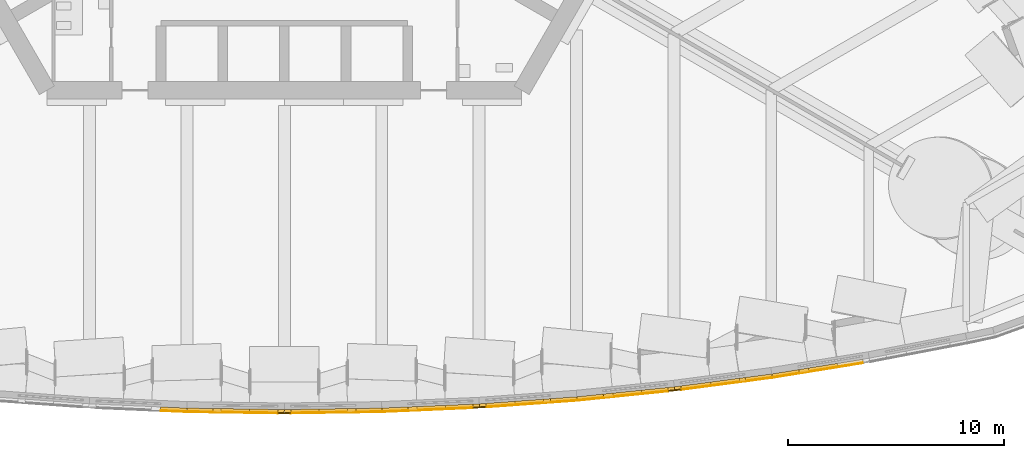
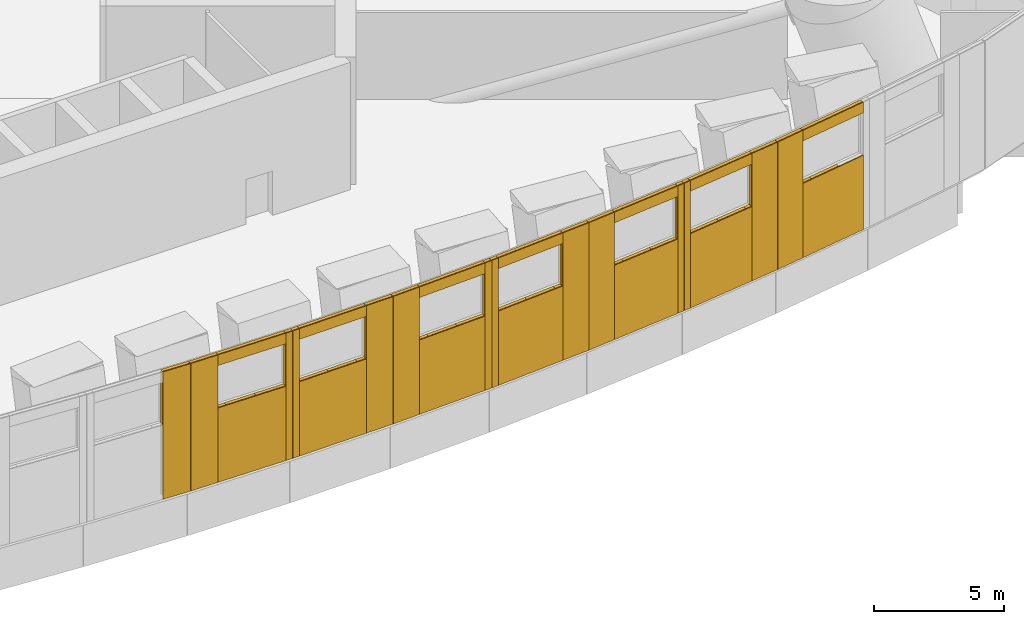
# One storey, part 17 of 28: 69 coverings.
"""IFC4 building model written with IfcOpenShell, lengths in metres."""

from ifc_helpers import new_model, si_unit, direction, frame, origin, origin_2d, place, context, subcontext, project, spatial, rectangle, extrude, material, layer, layer_set, type_object, element, save


model = new_model("IFC4")

# Units and contexts
model_context = context("Model", 3, precision=1e-05, world=origin(), true_north=direction((0.0, 1.0)))
body_context = subcontext(model_context, "Body", "Model", "MODEL_VIEW")
ifc_project = project(units=[si_unit("LENGTHUNIT", "METRE"), si_unit("AREAUNIT", "SQUARE_METRE"), si_unit("VOLUMEUNIT", "CUBIC_METRE"), si_unit("PLANEANGLEUNIT", "RADIAN"), si_unit("MASSUNIT", "GRAM", prefix="KILO")], contexts=[model_context])

# Site, building, storey
site_placement = place(None, origin())
site = spatial("IfcSite", under=ifc_project, at=site_placement, CompositionType="ELEMENT")
building_placement = place(site_placement, origin())
building = spatial("IfcBuilding", under=site, at=building_placement, Name="Trefoil Bronze Tower", CompositionType="ELEMENT")
storey_placement = place(building_placement, frame((0.0, 0.0, 92.10009765625)))
storey = spatial("IfcBuildingStorey", under=building, at=storey_placement, Name="L21", CompositionType="ELEMENT", Elevation=92.10009765625)

# Coverings
ifc_material_1 = material(Name="Bronze-finish aluminium rainscreen panel on aluminium rails", Category="aluminium")
ifc_layer_1 = layer(ifc_material_1, 0.0400390625)
ifc_layer_set_1 = layer_set([ifc_layer_1], Name="Bronze cladding panel 40")
covering_type_1 = type_object("IfcCoveringType", Name="Bronze cladding panel 40", PredefinedType="CLADDING", material=ifc_layer_set_1)
covering_1_placement = place(storey_placement, frame((-5.115478515625, -27.826904296875, 0.0), z_axis=(0.0, 0.0, 1.0), x_axis=(0.999052210812, -0.043527922899, 0.0)))
element("IfcCovering", 1, at=covering_1_placement, inside=storey, type_object=covering_type_1, Name="Cladding panel L21 Face 1.7 piece 2", PredefinedType="CLADDING", context=body_context, shape_type="SweptSolid", body=[
    extrude(rectangle(XDim=1.204345703125, YDim=0.0400390625, at=origin_2d()), origin(), (0.0, 0.0, 1.0), 6.0),
])
covering_2_placement = place(storey_placement, frame((-3.904541015625, -27.862060546875, 0.0), z_axis=(0.0, 0.0, 1.0), x_axis=(0.999894734491, -0.01450930517, 0.0)))
element("IfcCovering", 2, at=covering_2_placement, inside=storey, type_object=covering_type_1, Name="Cladding panel L21 Face 1.8 piece 1", PredefinedType="CLADDING", context=body_context, shape_type="SweptSolid", body=[
    extrude(rectangle(XDim=1.200439453125, YDim=0.0400390625, at=origin_2d()), origin(), (0.0, 0.0, 1.0), 6.0),
])
covering_3_placement = place(storey_placement, frame((-0.154541015625, -27.91650390625, 0.0), z_axis=(0.0, 0.0, 1.0), x_axis=(0.999894734491, -0.01450930517, 0.0)))
element("IfcCovering", 3, at=covering_3_placement, inside=storey, type_object=covering_type_1, Name="Cladding panel L21 Face 1.8 piece 2", PredefinedType="CLADDING", context=body_context, shape_type="SweptSolid", body=[
    extrude(rectangle(XDim=0.300048828125, YDim=0.0400390625, at=origin_2d()), origin(), (0.0, 0.0, 1.0), 6.0),
])
covering_4_placement = place(storey_placement, frame((-1.804443359375, -27.892578125, 0.0), z_axis=(0.0, 0.0, 1.0), x_axis=(0.999894734491, -0.01450930517, 0.0)))
element("IfcCovering", 4, at=covering_4_placement, inside=storey, type_object=covering_type_1, Name="Cladding panel L21 Face 1.8 piece 3", PredefinedType="CLADDING", context=body_context, shape_type="SweptSolid", body=[
    extrude(rectangle(XDim=3.0, YDim=0.0400390625, at=origin_2d()), origin(), (0.0, 0.0, 1.0), 3.5),
])
covering_5_placement = place(storey_placement, frame((-1.804443359375, -27.892578125, 5.5), z_axis=(0.0, 0.0, 1.0), x_axis=(0.999894734491, -0.01450930517, 0.0)))
element("IfcCovering", 5, at=covering_5_placement, inside=storey, type_object=covering_type_1, Name="Cladding panel L21 Face 1.8 piece 4", PredefinedType="CLADDING", context=body_context, shape_type="SweptSolid", body=[
    extrude(rectangle(XDim=3.0, YDim=0.0400390625, at=origin_2d()), origin(), (0.0, 0.0, 1.0), 0.5),
])
covering_6_placement = place(storey_placement, frame((0.154541015625, -27.91650390625, 0.0), z_axis=(0.0, 0.0, 1.0), x_axis=(0.999894734491, 0.01450930517, 0.0)))
element("IfcCovering", 6, at=covering_6_placement, inside=storey, type_object=covering_type_1, Name="Cladding panel L21 Face 1.9 piece 1", PredefinedType="CLADDING", context=body_context, shape_type="SweptSolid", body=[
    extrude(rectangle(XDim=0.300048828125, YDim=0.0400390625, at=origin_2d()), origin(), (0.0, 0.0, 1.0), 6.0),
])
covering_7_placement = place(storey_placement, frame((3.904541015625, -27.862060546875, 0.0), z_axis=(0.0, 0.0, 1.0), x_axis=(0.999894734491, 0.01450930517, 0.0)))
element("IfcCovering", 7, at=covering_7_placement, inside=storey, type_object=covering_type_1, Name="Cladding panel L21 Face 1.9 piece 2", PredefinedType="CLADDING", context=body_context, shape_type="SweptSolid", body=[
    extrude(rectangle(XDim=1.200439453125, YDim=0.0400390625, at=origin_2d()), origin(), (0.0, 0.0, 1.0), 6.0),
])
covering_8_placement = place(storey_placement, frame((1.804443359375, -27.892578125, 0.0), z_axis=(0.0, 0.0, 1.0), x_axis=(0.999894734491, 0.01450930517, 0.0)))
element("IfcCovering", 8, at=covering_8_placement, inside=storey, type_object=covering_type_1, Name="Cladding panel L21 Face 1.9 piece 3", PredefinedType="CLADDING", context=body_context, shape_type="SweptSolid", body=[
    extrude(rectangle(XDim=3.0, YDim=0.0400390625, at=origin_2d()), origin(), (0.0, 0.0, 1.0), 3.5),
])
covering_9_placement = place(storey_placement, frame((1.804443359375, -27.892578125, 5.5), z_axis=(0.0, 0.0, 1.0), x_axis=(0.999894734491, 0.01450930517, 0.0)))
element("IfcCovering", 9, at=covering_9_placement, inside=storey, type_object=covering_type_1, Name="Cladding panel L21 Face 1.9 piece 4", PredefinedType="CLADDING", context=body_context, shape_type="SweptSolid", body=[
    extrude(rectangle(XDim=3.0, YDim=0.0400390625, at=origin_2d()), origin(), (0.0, 0.0, 1.0), 0.5),
])
covering_10_placement = place(storey_placement, frame((5.115478515625, -27.826904296875, 0.0), z_axis=(0.0, 0.0, 1.0), x_axis=(0.999052210812, 0.043527922899, 0.0)))
element("IfcCovering", 10, at=covering_10_placement, inside=storey, type_object=covering_type_1, Name="Cladding panel L21 Face 1.10 piece 1", PredefinedType="CLADDING", context=body_context, shape_type="SweptSolid", body=[
    extrude(rectangle(XDim=1.204345703125, YDim=0.0400390625, at=origin_2d()), origin(), (0.0, 0.0, 1.0), 6.0),
])
covering_11_placement = place(storey_placement, frame((8.864013671875, -27.66357421875, 0.0), z_axis=(0.0, 0.0, 1.0), x_axis=(0.999052210812, 0.043527922899, 0.0)))
element("IfcCovering", 11, at=covering_11_placement, inside=storey, type_object=covering_type_1, Name="Cladding panel L21 Face 1.10 piece 2", PredefinedType="CLADDING", context=body_context, shape_type="SweptSolid", body=[
    extrude(rectangle(XDim=0.300048828125, YDim=0.0400390625, at=origin_2d()), origin(), (0.0, 0.0, 1.0), 6.0),
])
covering_12_placement = place(storey_placement, frame((7.215576171875, -27.7353515625, 0.0), z_axis=(0.0, 0.0, 1.0), x_axis=(0.999052210812, 0.043527922899, 0.0)))
element("IfcCovering", 12, at=covering_12_placement, inside=storey, type_object=covering_type_1, Name="Cladding panel L21 Face 1.10 piece 3", PredefinedType="CLADDING", context=body_context, shape_type="SweptSolid", body=[
    extrude(rectangle(XDim=3.0, YDim=0.0400390625, at=origin_2d()), origin(), (0.0, 0.0, 1.0), 3.5),
])
covering_13_placement = place(storey_placement, frame((7.215576171875, -27.7353515625, 5.5), z_axis=(0.0, 0.0, 1.0), x_axis=(0.999052210812, 0.043527922899, 0.0)))
element("IfcCovering", 13, at=covering_13_placement, inside=storey, type_object=covering_type_1, Name="Cladding panel L21 Face 1.10 piece 4", PredefinedType="CLADDING", context=body_context, shape_type="SweptSolid", body=[
    extrude(rectangle(XDim=3.0, YDim=0.0400390625, at=origin_2d()), origin(), (0.0, 0.0, 1.0), 0.5),
])
covering_14_placement = place(storey_placement, frame((9.1728515625, -27.6455078125, 0.0), z_axis=(0.0, 0.0, 1.0), x_axis=(0.997365026465, 0.072546564247, 0.0)))
element("IfcCovering", 14, at=covering_14_placement, inside=storey, type_object=covering_type_1, Name="Cladding panel L21 Face 1.11 piece 1", PredefinedType="CLADDING", context=body_context, shape_type="SweptSolid", body=[
    extrude(rectangle(XDim=0.300048828125, YDim=0.0400390625, at=origin_2d()), origin(), (0.0, 0.0, 1.0), 6.0),
])
covering_15_placement = place(storey_placement, frame((12.9189453125, -27.373046875, 0.0), z_axis=(0.0, 0.0, 1.0), x_axis=(0.997365026465, 0.072546564247, 0.0)))
element("IfcCovering", 15, at=covering_15_placement, inside=storey, type_object=covering_type_1, Name="Cladding panel L21 Face 1.11 piece 2", PredefinedType="CLADDING", context=body_context, shape_type="SweptSolid", body=[
    extrude(rectangle(XDim=1.2119140625, YDim=0.0400390625, at=origin_2d()), origin(), (0.0, 0.0, 1.0), 6.0),
])
covering_16_placement = place(storey_placement, frame((10.818359375, -27.52587890625, 0.0), z_axis=(0.0, 0.0, 1.0), x_axis=(0.997365026465, 0.072546564247, 0.0)))
element("IfcCovering", 16, at=covering_16_placement, inside=storey, type_object=covering_type_1, Name="Cladding panel L21 Face 1.11 piece 3", PredefinedType="CLADDING", context=body_context, shape_type="SweptSolid", body=[
    extrude(rectangle(XDim=3.0, YDim=0.0400390625, at=origin_2d()), origin(), (0.0, 0.0, 1.0), 3.5),
])
covering_17_placement = place(storey_placement, frame((10.818359375, -27.52587890625, 5.5), z_axis=(0.0, 0.0, 1.0), x_axis=(0.997365026465, 0.072546564247, 0.0)))
element("IfcCovering", 17, at=covering_17_placement, inside=storey, type_object=covering_type_1, Name="Cladding panel L21 Face 1.11 piece 4", PredefinedType="CLADDING", context=body_context, shape_type="SweptSolid", body=[
    extrude(rectangle(XDim=3.0, YDim=0.0400390625, at=origin_2d()), origin(), (0.0, 0.0, 1.0), 0.5),
])
covering_18_placement = place(storey_placement, frame((14.14111328125, -27.266357421875, 0.0), z_axis=(0.0, 0.0, 1.0), x_axis=(0.994828880304, 0.101565244613, 0.0)))
element("IfcCovering", 18, at=covering_18_placement, inside=storey, type_object=covering_type_1, Name="Cladding panel L21 Face 1.12 piece 1", PredefinedType="CLADDING", context=body_context, shape_type="SweptSolid", body=[
    extrude(rectangle(XDim=1.223388671875, YDim=0.0400390625, at=origin_2d()), origin(), (0.0, 0.0, 1.0), 6.0),
])
covering_19_placement = place(storey_placement, frame((17.88330078125, -26.88427734375, 0.0), z_axis=(0.0, 0.0, 1.0), x_axis=(0.994828880304, 0.101565244613, 0.0)))
element("IfcCovering", 19, at=covering_19_placement, inside=storey, type_object=covering_type_1, Name="Cladding panel L21 Face 1.12 piece 2", PredefinedType="CLADDING", context=body_context, shape_type="SweptSolid", body=[
    extrude(rectangle(XDim=0.300048828125, YDim=0.0400390625, at=origin_2d()), origin(), (0.0, 0.0, 1.0), 6.0),
])
covering_20_placement = place(storey_placement, frame((16.24169921875, -27.0517578125, 0.0), z_axis=(0.0, 0.0, 1.0), x_axis=(0.994828880304, 0.101565244613, 0.0)))
element("IfcCovering", 20, at=covering_20_placement, inside=storey, type_object=covering_type_1, Name="Cladding panel L21 Face 1.12 piece 3", PredefinedType="CLADDING", context=body_context, shape_type="SweptSolid", body=[
    extrude(rectangle(XDim=3.0, YDim=0.0400390625, at=origin_2d()), origin(), (0.0, 0.0, 1.0), 3.5),
])
covering_21_placement = place(storey_placement, frame((16.24169921875, -27.0517578125, 5.5), z_axis=(0.0, 0.0, 1.0), x_axis=(0.994828880304, 0.101565244613, 0.0)))
element("IfcCovering", 21, at=covering_21_placement, inside=storey, type_object=covering_type_1, Name="Cladding panel L21 Face 1.12 piece 4", PredefinedType="CLADDING", context=body_context, shape_type="SweptSolid", body=[
    extrude(rectangle(XDim=3.0, YDim=0.0400390625, at=origin_2d()), origin(), (0.0, 0.0, 1.0), 0.5),
])
covering_22_placement = place(storey_placement, frame((18.1904296875, -26.848388671875, 0.0), z_axis=(0.0, 0.0, 1.0), x_axis=(0.991437251591, 0.130583981243, 0.0)))
element("IfcCovering", 22, at=covering_22_placement, inside=storey, type_object=covering_type_1, Name="Cladding panel L21 Face 1.13 piece 1", PredefinedType="CLADDING", context=body_context, shape_type="SweptSolid", body=[
    extrude(rectangle(XDim=0.300048828125, YDim=0.0400390625, at=origin_2d()), origin(), (0.0, 0.0, 1.0), 6.0),
])
covering_23_placement = place(storey_placement, frame((21.927734375, -26.35595703125, 0.0), z_axis=(0.0, 0.0, 1.0), x_axis=(0.991437251591, 0.130583981243, 0.0)))
element("IfcCovering", 23, at=covering_23_placement, inside=storey, type_object=covering_type_1, Name="Cladding panel L21 Face 1.13 piece 2", PredefinedType="CLADDING", context=body_context, shape_type="SweptSolid", body=[
    extrude(rectangle(XDim=1.23876953125, YDim=0.0400390625, at=origin_2d()), origin(), (0.0, 0.0, 1.0), 6.0),
])
covering_24_placement = place(storey_placement, frame((19.826416015625, -26.6328125, 0.0), z_axis=(0.0, 0.0, 1.0), x_axis=(0.991437251591, 0.130583981243, 0.0)))
element("IfcCovering", 24, at=covering_24_placement, inside=storey, type_object=covering_type_1, Name="Cladding panel L21 Face 1.13 piece 3", PredefinedType="CLADDING", context=body_context, shape_type="SweptSolid", body=[
    extrude(rectangle(XDim=3.0, YDim=0.0400390625, at=origin_2d()), origin(), (0.0, 0.0, 1.0), 3.5),
])
covering_25_placement = place(storey_placement, frame((19.826416015625, -26.6328125, 5.5), z_axis=(0.0, 0.0, 1.0), x_axis=(0.991437251591, 0.130583981243, 0.0)))
element("IfcCovering", 25, at=covering_25_placement, inside=storey, type_object=covering_type_1, Name="Cladding panel L21 Face 1.13 piece 4", PredefinedType="CLADDING", context=body_context, shape_type="SweptSolid", body=[
    extrude(rectangle(XDim=3.0, YDim=0.0400390625, at=origin_2d()), origin(), (0.0, 0.0, 1.0), 0.5),
])
covering_26_placement = place(storey_placement, frame((23.172119140625, -26.17333984375, 0.0), z_axis=(0.0, 0.0, 1.0), x_axis=(0.987181315147, 0.159602791403, 0.0)))
element("IfcCovering", 26, at=covering_26_placement, inside=storey, type_object=covering_type_1, Name="Cladding panel L21 Face 1.14 piece 1", PredefinedType="CLADDING", context=body_context, shape_type="SweptSolid", body=[
    extrude(rectangle(XDim=1.258544921875, YDim=0.0400390625, at=origin_2d()), origin(), (0.0, 0.0, 1.0), 6.0),
])
covering_27_placement = place(storey_placement, frame((25.274169921875, -25.83349609375, 0.0), z_axis=(0.0, 0.0, 1.0), x_axis=(0.987181315147, 0.159602791403, 0.0)))
element("IfcCovering", 27, at=covering_27_placement, inside=storey, type_object=covering_type_1, Name="Cladding panel L21 Face 1.14 piece 3", PredefinedType="CLADDING", context=body_context, shape_type="SweptSolid", body=[
    extrude(rectangle(XDim=3.0, YDim=0.0400390625, at=origin_2d()), origin(), (0.0, 0.0, 1.0), 3.5),
])
covering_28_placement = place(storey_placement, frame((25.274169921875, -25.83349609375, 5.5), z_axis=(0.0, 0.0, 1.0), x_axis=(0.987181315147, 0.159602791403, 0.0)))
element("IfcCovering", 28, at=covering_28_placement, inside=storey, type_object=covering_type_1, Name="Cladding panel L21 Face 1.14 piece 4", PredefinedType="CLADDING", context=body_context, shape_type="SweptSolid", body=[
    extrude(rectangle(XDim=3.0, YDim=0.0400390625, at=origin_2d()), origin(), (0.0, 0.0, 1.0), 0.5),
])
ifc_material_2 = material(Name="Non-combustible mineral wool slab", Category="insulation")
ifc_layer_2 = layer(ifc_material_2, 0.14990234375)
ifc_layer_set_2 = layer_set([ifc_layer_2], Name="Rainscreen insulation 150")
covering_type_2 = type_object("IfcCoveringType", Name="Rainscreen insulation 150", PredefinedType="INSULATION", material=ifc_layer_set_2)
covering_29_placement = place(storey_placement, frame((-5.111328125, -27.73193359375, 0.15478515625), z_axis=(0.0, 0.0, 1.0), x_axis=(0.999052210812, -0.043527922899, 0.0)))
element("IfcCovering", 29, at=covering_29_placement, inside=storey, type_object=covering_type_2, Name="Insulation L21 Face 1.7 piece 2", PredefinedType="INSULATION", context=body_context, shape_type="SweptSolid", body=[
    extrude(rectangle(XDim=1.204345703125, YDim=0.14990234375, at=origin_2d()), origin(), (0.0, 0.0, 1.0), 5.844970703125),
])
covering_30_placement = place(storey_placement, frame((-3.903076171875, -27.76708984375, 0.19482421875), z_axis=(0.0, 0.0, 1.0), x_axis=(0.999894734491, -0.01450930517, 0.0)))
element("IfcCovering", 30, at=covering_30_placement, inside=storey, type_object=covering_type_2, Name="Insulation L21 Face 1.8 piece 1", PredefinedType="INSULATION", context=body_context, shape_type="SweptSolid", body=[
    extrude(rectangle(XDim=1.200439453125, YDim=0.14990234375, at=origin_2d()), origin(), (0.0, 0.0, 1.0), 5.804931640625),
])
covering_31_placement = place(storey_placement, frame((-0.1533203125, -27.821533203125, 0.11474609375), z_axis=(0.0, 0.0, 1.0), x_axis=(0.999894734491, -0.01450930517, 0.0)))
element("IfcCovering", 31, at=covering_31_placement, inside=storey, type_object=covering_type_2, Name="Insulation L21 Face 1.8 piece 2", PredefinedType="INSULATION", context=body_context, shape_type="SweptSolid", body=[
    extrude(rectangle(XDim=0.300048828125, YDim=0.14990234375, at=origin_2d()), origin(), (0.0, 0.0, 1.0), 5.885009765625),
])
covering_32_placement = place(storey_placement, frame((-3.1103515625, -27.778564453125, 0.224853515625), z_axis=(0.0, 0.0, 1.0), x_axis=(0.999894734491, -0.01450930517, 0.0)))
element("IfcCovering", 32, at=covering_32_placement, inside=storey, type_object=covering_type_2, Name="Insulation L21 Face 1.8 piece 3", PredefinedType="INSULATION", context=body_context, shape_type="SweptSolid", body=[
    extrude(rectangle(XDim=0.385009765625, YDim=0.14990234375, at=origin_2d()), origin(), (0.0, 0.0, 1.0), 3.27490234375),
])
covering_33_placement = place(storey_placement, frame((-2.262939453125, -27.791015625, 0.0), z_axis=(0.0, 0.0, 1.0), x_axis=(0.999894734491, -0.01450930517, 0.0)))
element("IfcCovering", 33, at=covering_33_placement, inside=storey, type_object=covering_type_2, Name="Insulation L21 Face 1.8 piece 3 part 2", PredefinedType="INSULATION", context=body_context, shape_type="SweptSolid", body=[
    extrude(rectangle(XDim=1.31005859375, YDim=0.14990234375, at=origin_2d()), origin(), (0.0, 0.0, 1.0), 3.5),
])
covering_34_placement = place(storey_placement, frame((-0.95556640625, -27.809814453125, 0.19970703125), z_axis=(0.0, 0.0, 1.0), x_axis=(0.999894734491, -0.01450930517, 0.0)))
element("IfcCovering", 34, at=covering_34_placement, inside=storey, type_object=covering_type_2, Name="Insulation L21 Face 1.8 piece 3 part 3", PredefinedType="INSULATION", context=body_context, shape_type="SweptSolid", body=[
    extrude(rectangle(XDim=1.304931640625, YDim=0.14990234375, at=origin_2d()), origin(), (0.0, 0.0, 1.0), 3.300048828125),
])
covering_35_placement = place(storey_placement, frame((-1.802978515625, -27.797607421875, 5.5), z_axis=(0.0, 0.0, 1.0), x_axis=(0.999894734491, -0.01450930517, 0.0)))
element("IfcCovering", 35, at=covering_35_placement, inside=storey, type_object=covering_type_2, Name="Insulation L21 Face 1.8 piece 4", PredefinedType="INSULATION", context=body_context, shape_type="SweptSolid", body=[
    extrude(rectangle(XDim=3.0, YDim=0.14990234375, at=origin_2d()), origin(), (0.0, 0.0, 1.0), 0.5),
])
covering_36_placement = place(storey_placement, frame((0.1533203125, -27.821533203125, 0.11474609375), z_axis=(0.0, 0.0, 1.0), x_axis=(0.999894734491, 0.01450930517, 0.0)))
element("IfcCovering", 36, at=covering_36_placement, inside=storey, type_object=covering_type_2, Name="Insulation L21 Face 1.9 piece 1", PredefinedType="INSULATION", context=body_context, shape_type="SweptSolid", body=[
    extrude(rectangle(XDim=0.300048828125, YDim=0.14990234375, at=origin_2d()), origin(), (0.0, 0.0, 1.0), 5.885009765625),
])
covering_37_placement = place(storey_placement, frame((3.903076171875, -27.76708984375, 0.19482421875), z_axis=(0.0, 0.0, 1.0), x_axis=(0.999894734491, 0.01450930517, 0.0)))
element("IfcCovering", 37, at=covering_37_placement, inside=storey, type_object=covering_type_2, Name="Insulation L21 Face 1.9 piece 2", PredefinedType="INSULATION", context=body_context, shape_type="SweptSolid", body=[
    extrude(rectangle(XDim=1.200439453125, YDim=0.14990234375, at=origin_2d()), origin(), (0.0, 0.0, 1.0), 5.804931640625),
])
covering_38_placement = place(storey_placement, frame((0.95556640625, -27.809814453125, 0.19970703125), z_axis=(0.0, 0.0, 1.0), x_axis=(0.999894734491, 0.01450930517, 0.0)))
element("IfcCovering", 38, at=covering_38_placement, inside=storey, type_object=covering_type_2, Name="Insulation L21 Face 1.9 piece 3", PredefinedType="INSULATION", context=body_context, shape_type="SweptSolid", body=[
    extrude(rectangle(XDim=1.304931640625, YDim=0.14990234375, at=origin_2d()), origin(), (0.0, 0.0, 1.0), 3.300048828125),
])
covering_39_placement = place(storey_placement, frame((2.263671875, -27.790771484375, 0.0), z_axis=(0.0, 0.0, 1.0), x_axis=(0.999894734491, 0.01450930517, 0.0)))
element("IfcCovering", 39, at=covering_39_placement, inside=storey, type_object=covering_type_2, Name="Insulation L21 Face 1.9 piece 3 part 2", PredefinedType="INSULATION", context=body_context, shape_type="SweptSolid", body=[
    extrude(rectangle(XDim=1.31103515625, YDim=0.14990234375, at=origin_2d()), origin(), (0.0, 0.0, 1.0), 3.5),
])
covering_40_placement = place(storey_placement, frame((3.111083984375, -27.778564453125, 0.224853515625), z_axis=(0.0, 0.0, 1.0), x_axis=(0.999894734491, 0.01450930517, 0.0)))
element("IfcCovering", 40, at=covering_40_placement, inside=storey, type_object=covering_type_2, Name="Insulation L21 Face 1.9 piece 3 part 3", PredefinedType="INSULATION", context=body_context, shape_type="SweptSolid", body=[
    extrude(rectangle(XDim=0.384033203125, YDim=0.14990234375, at=origin_2d()), origin(), (0.0, 0.0, 1.0), 3.27490234375),
])
covering_41_placement = place(storey_placement, frame((1.802978515625, -27.797607421875, 5.5), z_axis=(0.0, 0.0, 1.0), x_axis=(0.999894734491, 0.01450930517, 0.0)))
element("IfcCovering", 41, at=covering_41_placement, inside=storey, type_object=covering_type_2, Name="Insulation L21 Face 1.9 piece 4", PredefinedType="INSULATION", context=body_context, shape_type="SweptSolid", body=[
    extrude(rectangle(XDim=3.0, YDim=0.14990234375, at=origin_2d()), origin(), (0.0, 0.0, 1.0), 0.5),
])
covering_42_placement = place(storey_placement, frame((5.111328125, -27.73193359375, 0.15478515625), z_axis=(0.0, 0.0, 1.0), x_axis=(0.999052210812, 0.043527922899, 0.0)))
element("IfcCovering", 42, at=covering_42_placement, inside=storey, type_object=covering_type_2, Name="Insulation L21 Face 1.10 piece 1", PredefinedType="INSULATION", context=body_context, shape_type="SweptSolid", body=[
    extrude(rectangle(XDim=1.204345703125, YDim=0.14990234375, at=origin_2d()), origin(), (0.0, 0.0, 1.0), 5.844970703125),
])
covering_43_placement = place(storey_placement, frame((8.85986328125, -27.568603515625, 0.125), z_axis=(0.0, 0.0, 1.0), x_axis=(0.999052210812, 0.043527922899, 0.0)))
element("IfcCovering", 43, at=covering_43_placement, inside=storey, type_object=covering_type_2, Name="Insulation L21 Face 1.10 piece 2", PredefinedType="INSULATION", context=body_context, shape_type="SweptSolid", body=[
    extrude(rectangle(XDim=0.300048828125, YDim=0.14990234375, at=origin_2d()), origin(), (0.0, 0.0, 1.0), 5.875),
])
covering_44_placement = place(storey_placement, frame((5.92529296875, -27.696533203125, 0.1748046875), z_axis=(0.0, 0.0, 1.0), x_axis=(0.999052210812, 0.043527922899, 0.0)))
element("IfcCovering", 44, at=covering_44_placement, inside=storey, type_object=covering_type_2, Name="Insulation L21 Face 1.10 piece 3", PredefinedType="INSULATION", context=body_context, shape_type="SweptSolid", body=[
    extrude(rectangle(XDim=0.425048828125, YDim=0.14990234375, at=origin_2d()), origin(), (0.0, 0.0, 1.0), 3.324951171875),
])
covering_45_placement = place(storey_placement, frame((6.793212890625, -27.65869140625, 0.0), z_axis=(0.0, 0.0, 1.0), x_axis=(0.999052210812, 0.043527922899, 0.0)))
element("IfcCovering", 45, at=covering_45_placement, inside=storey, type_object=covering_type_2, Name="Insulation L21 Face 1.10 piece 3 part 2", PredefinedType="INSULATION", context=body_context, shape_type="SweptSolid", body=[
    extrude(rectangle(XDim=1.3125, YDim=0.14990234375, at=origin_2d()), origin(), (0.0, 0.0, 1.0), 3.5),
])
covering_46_placement = place(storey_placement, frame((8.079345703125, -27.602783203125, 0.244873046875), z_axis=(0.0, 0.0, 1.0), x_axis=(0.999052210812, 0.043527922899, 0.0)))
element("IfcCovering", 46, at=covering_46_placement, inside=storey, type_object=covering_type_2, Name="Insulation L21 Face 1.10 piece 3 part 3", PredefinedType="INSULATION", context=body_context, shape_type="SweptSolid", body=[
    extrude(rectangle(XDim=1.2626953125, YDim=0.14990234375, at=origin_2d()), origin(), (0.0, 0.0, 1.0), 3.2548828125),
])
covering_47_placement = place(storey_placement, frame((7.21142578125, -27.640380859375, 5.5), z_axis=(0.0, 0.0, 1.0), x_axis=(0.999052210812, 0.043527922899, 0.0)))
element("IfcCovering", 47, at=covering_47_placement, inside=storey, type_object=covering_type_2, Name="Insulation L21 Face 1.10 piece 4", PredefinedType="INSULATION", context=body_context, shape_type="SweptSolid", body=[
    extrude(rectangle(XDim=3.0, YDim=0.14990234375, at=origin_2d()), origin(), (0.0, 0.0, 1.0), 0.5),
])
covering_48_placement = place(storey_placement, frame((9.166015625, -27.55078125, 0.10498046875), z_axis=(0.0, 0.0, 1.0), x_axis=(0.997365026465, 0.072546564247, 0.0)))
element("IfcCovering", 48, at=covering_48_placement, inside=storey, type_object=covering_type_2, Name="Insulation L21 Face 1.11 piece 1", PredefinedType="INSULATION", context=body_context, shape_type="SweptSolid", body=[
    extrude(rectangle(XDim=0.300048828125, YDim=0.14990234375, at=origin_2d()), origin(), (0.0, 0.0, 1.0), 5.89501953125),
])
covering_49_placement = place(storey_placement, frame((12.911865234375, -27.2783203125, 0.22998046875), z_axis=(0.0, 0.0, 1.0), x_axis=(0.997365026465, 0.072546564247, 0.0)))
element("IfcCovering", 49, at=covering_49_placement, inside=storey, type_object=covering_type_2, Name="Insulation L21 Face 1.11 piece 2", PredefinedType="INSULATION", context=body_context, shape_type="SweptSolid", body=[
    extrude(rectangle(XDim=1.2119140625, YDim=0.14990234375, at=origin_2d()), origin(), (0.0, 0.0, 1.0), 5.77001953125),
])
covering_50_placement = place(storey_placement, frame((9.98876953125, -27.490966796875, 0.14990234375), z_axis=(0.0, 0.0, 1.0), x_axis=(0.997365026465, 0.072546564247, 0.0)))
element("IfcCovering", 50, at=covering_50_placement, inside=storey, type_object=covering_type_2, Name="Insulation L21 Face 1.11 piece 3", PredefinedType="INSULATION", context=body_context, shape_type="SweptSolid", body=[
    extrude(rectangle(XDim=1.35009765625, YDim=0.14990234375, at=origin_2d()), origin(), (0.0, 0.0, 1.0), 3.35009765625),
])
covering_51_placement = place(storey_placement, frame((11.318603515625, -27.394287109375, 0.0), z_axis=(0.0, 0.0, 1.0), x_axis=(0.997365026465, 0.072546564247, 0.0)))
element("IfcCovering", 51, at=covering_51_placement, inside=storey, type_object=covering_type_2, Name="Insulation L21 Face 1.11 piece 3 part 2", PredefinedType="INSULATION", context=body_context, shape_type="SweptSolid", body=[
    extrude(rectangle(XDim=1.31689453125, YDim=0.14990234375, at=origin_2d()), origin(), (0.0, 0.0, 1.0), 3.5),
])
covering_52_placement = place(storey_placement, frame((12.1416015625, -27.33447265625, 0.2646484375), z_axis=(0.0, 0.0, 1.0), x_axis=(0.997365026465, 0.072546564247, 0.0)))
element("IfcCovering", 52, at=covering_52_placement, inside=storey, type_object=covering_type_2, Name="Insulation L21 Face 1.11 piece 3 part 3", PredefinedType="INSULATION", context=body_context, shape_type="SweptSolid", body=[
    extrude(rectangle(XDim=0.3330078125, YDim=0.14990234375, at=origin_2d()), origin(), (0.0, 0.0, 1.0), 3.235107421875),
])
covering_53_placement = place(storey_placement, frame((10.8115234375, -27.43115234375, 5.5), z_axis=(0.0, 0.0, 1.0), x_axis=(0.997365026465, 0.072546564247, 0.0)))
element("IfcCovering", 53, at=covering_53_placement, inside=storey, type_object=covering_type_2, Name="Insulation L21 Face 1.11 piece 4", PredefinedType="INSULATION", context=body_context, shape_type="SweptSolid", body=[
    extrude(rectangle(XDim=3.0, YDim=0.14990234375, at=origin_2d()), origin(), (0.0, 0.0, 1.0), 0.5),
])
covering_54_placement = place(storey_placement, frame((14.13134765625, -27.171630859375, 0.125), z_axis=(0.0, 0.0, 1.0), x_axis=(0.994828880304, 0.101565244613, 0.0)))
element("IfcCovering", 54, at=covering_54_placement, inside=storey, type_object=covering_type_2, Name="Insulation L21 Face 1.12 piece 1", PredefinedType="INSULATION", context=body_context, shape_type="SweptSolid", body=[
    extrude(rectangle(XDim=1.223388671875, YDim=0.14990234375, at=origin_2d()), origin(), (0.0, 0.0, 1.0), 5.875),
])
covering_55_placement = place(storey_placement, frame((17.87353515625, -26.789794921875, 0.14501953125), z_axis=(0.0, 0.0, 1.0), x_axis=(0.994828880304, 0.101565244613, 0.0)))
element("IfcCovering", 55, at=covering_55_placement, inside=storey, type_object=covering_type_2, Name="Insulation L21 Face 1.12 piece 2", PredefinedType="INSULATION", context=body_context, shape_type="SweptSolid", body=[
    extrude(rectangle(XDim=0.300048828125, YDim=0.14990234375, at=origin_2d()), origin(), (0.0, 0.0, 1.0), 5.85498046875),
])
covering_56_placement = place(storey_placement, frame((14.961181640625, -27.0869140625, 0.1298828125), z_axis=(0.0, 0.0, 1.0), x_axis=(0.994828880304, 0.101565244613, 0.0)))
element("IfcCovering", 56, at=covering_56_placement, inside=storey, type_object=covering_type_2, Name="Insulation L21 Face 1.12 piece 3", PredefinedType="INSULATION", context=body_context, shape_type="SweptSolid", body=[
    extrude(rectangle(XDim=0.445068359375, YDim=0.14990234375, at=origin_2d()), origin(), (0.0, 0.0, 1.0), 3.3701171875),
])
covering_57_placement = place(storey_placement, frame((15.8427734375, -26.9970703125, 0.0), z_axis=(0.0, 0.0, 1.0), x_axis=(0.994828880304, 0.101565244613, 0.0)))
element("IfcCovering", 57, at=covering_57_placement, inside=storey, type_object=covering_type_2, Name="Insulation L21 Face 1.12 piece 3 part 2", PredefinedType="INSULATION", context=body_context, shape_type="SweptSolid", body=[
    extrude(rectangle(XDim=1.327392578125, YDim=0.14990234375, at=origin_2d()), origin(), (0.0, 0.0, 1.0), 3.5),
])
covering_58_placement = place(storey_placement, frame((17.11376953125, -26.8671875, 0.27978515625), z_axis=(0.0, 0.0, 1.0), x_axis=(0.994828880304, 0.101565244613, 0.0)))
element("IfcCovering", 58, at=covering_58_placement, inside=storey, type_object=covering_type_2, Name="Insulation L21 Face 1.12 piece 3 part 3", PredefinedType="INSULATION", context=body_context, shape_type="SweptSolid", body=[
    extrude(rectangle(XDim=1.2275390625, YDim=0.14990234375, at=origin_2d()), origin(), (0.0, 0.0, 1.0), 3.219970703125),
])
covering_59_placement = place(storey_placement, frame((16.232177734375, -26.957275390625, 5.5), z_axis=(0.0, 0.0, 1.0), x_axis=(0.994828880304, 0.101565244613, 0.0)))
element("IfcCovering", 59, at=covering_59_placement, inside=storey, type_object=covering_type_2, Name="Insulation L21 Face 1.12 piece 4", PredefinedType="INSULATION", context=body_context, shape_type="SweptSolid", body=[
    extrude(rectangle(XDim=3.0, YDim=0.14990234375, at=origin_2d()), origin(), (0.0, 0.0, 1.0), 0.5),
])
covering_60_placement = place(storey_placement, frame((18.177978515625, -26.754150390625, 0.10986328125), z_axis=(0.0, 0.0, 1.0), x_axis=(0.991437251591, 0.130583981243, 0.0)))
element("IfcCovering", 60, at=covering_60_placement, inside=storey, type_object=covering_type_2, Name="Insulation L21 Face 1.13 piece 1", PredefinedType="INSULATION", context=body_context, shape_type="SweptSolid", body=[
    extrude(rectangle(XDim=0.300048828125, YDim=0.14990234375, at=origin_2d()), origin(), (0.0, 0.0, 1.0), 5.889892578125),
])
covering_61_placement = place(storey_placement, frame((21.915283203125, -26.261962890625, 0.259765625), z_axis=(0.0, 0.0, 1.0), x_axis=(0.991437251591, 0.130583981243, 0.0)))
element("IfcCovering", 61, at=covering_61_placement, inside=storey, type_object=covering_type_2, Name="Insulation L21 Face 1.13 piece 2", PredefinedType="INSULATION", context=body_context, shape_type="SweptSolid", body=[
    extrude(rectangle(XDim=1.23876953125, YDim=0.14990234375, at=origin_2d()), origin(), (0.0, 0.0, 1.0), 5.739990234375),
])
covering_62_placement = place(storey_placement, frame((19.015869140625, -26.643798828125, 0.10986328125), z_axis=(0.0, 0.0, 1.0), x_axis=(0.991437251591, 0.130583981243, 0.0)))
element("IfcCovering", 62, at=covering_62_placement, inside=storey, type_object=covering_type_2, Name="Insulation L21 Face 1.13 piece 3", PredefinedType="INSULATION", context=body_context, shape_type="SweptSolid", body=[
    extrude(rectangle(XDim=1.389892578125, YDim=0.14990234375, at=origin_2d()), origin(), (0.0, 0.0, 1.0), 3.389892578125),
])
covering_63_placement = place(storey_placement, frame((20.369873046875, -26.46533203125, 0.0), z_axis=(0.0, 0.0, 1.0), x_axis=(0.991437251591, 0.130583981243, 0.0)))
element("IfcCovering", 63, at=covering_63_placement, inside=storey, type_object=covering_type_2, Name="Insulation L21 Face 1.13 piece 3 part 2", PredefinedType="INSULATION", context=body_context, shape_type="SweptSolid", body=[
    extrude(rectangle(XDim=1.341552734375, YDim=0.14990234375, at=origin_2d()), origin(), (0.0, 0.0, 1.0), 3.5),
])
covering_64_placement = place(storey_placement, frame((21.16796875, -26.3603515625, 0.2900390625), z_axis=(0.0, 0.0, 1.0), x_axis=(0.991437251591, 0.130583981243, 0.0)))
element("IfcCovering", 64, at=covering_64_placement, inside=storey, type_object=covering_type_2, Name="Insulation L21 Face 1.13 piece 3 part 3", PredefinedType="INSULATION", context=body_context, shape_type="SweptSolid", body=[
    extrude(rectangle(XDim=0.268310546875, YDim=0.14990234375, at=origin_2d()), origin(), (0.0, 0.0, 1.0), 3.2099609375),
])
covering_65_placement = place(storey_placement, frame((19.81396484375, -26.53857421875, 5.5), z_axis=(0.0, 0.0, 1.0), x_axis=(0.991437251591, 0.130583981243, 0.0)))
element("IfcCovering", 65, at=covering_65_placement, inside=storey, type_object=covering_type_2, Name="Insulation L21 Face 1.13 piece 4", PredefinedType="INSULATION", context=body_context, shape_type="SweptSolid", body=[
    extrude(rectangle(XDim=3.0, YDim=0.14990234375, at=origin_2d()), origin(), (0.0, 0.0, 1.0), 0.5),
])
covering_66_placement = place(storey_placement, frame((23.156982421875, -26.07958984375, 0.119873046875), z_axis=(0.0, 0.0, 1.0), x_axis=(0.987181315147, 0.159602791403, 0.0)))
element("IfcCovering", 66, at=covering_66_placement, inside=storey, type_object=covering_type_2, Name="Insulation L21 Face 1.14 piece 1", PredefinedType="INSULATION", context=body_context, shape_type="SweptSolid", body=[
    extrude(rectangle(XDim=1.258544921875, YDim=0.14990234375, at=origin_2d()), origin(), (0.0, 0.0, 1.0), 5.8798828125),
])
covering_67_placement = place(storey_placement, frame((24.000244140625, -25.943359375, 0.10498046875), z_axis=(0.0, 0.0, 1.0), x_axis=(0.987181315147, 0.159602791403, 0.0)))
element("IfcCovering", 67, at=covering_67_placement, inside=storey, type_object=covering_type_2, Name="Insulation L21 Face 1.14 piece 3", PredefinedType="INSULATION", context=body_context, shape_type="SweptSolid", body=[
    extrude(rectangle(XDim=0.449951171875, YDim=0.14990234375, at=origin_2d()), origin(), (0.0, 0.0, 1.0), 3.39501953125),
])
covering_68_placement = place(storey_placement, frame((24.8935546875, -25.798828125, 0.0), z_axis=(0.0, 0.0, 1.0), x_axis=(0.987181315147, 0.159602791403, 0.0)))
element("IfcCovering", 68, at=covering_68_placement, inside=storey, type_object=covering_type_2, Name="Insulation L21 Face 1.14 piece 3 part 2", PredefinedType="INSULATION", context=body_context, shape_type="SweptSolid", body=[
    extrude(rectangle(XDim=1.359619140625, YDim=0.14990234375, at=origin_2d()), origin(), (0.0, 0.0, 1.0), 3.5),
])
covering_69_placement = place(storey_placement, frame((25.259033203125, -25.73974609375, 5.5), z_axis=(0.0, 0.0, 1.0), x_axis=(0.987181315147, 0.159602791403, 0.0)))
element("IfcCovering", 69, at=covering_69_placement, inside=storey, type_object=covering_type_2, Name="Insulation L21 Face 1.14 piece 4", PredefinedType="INSULATION", context=body_context, shape_type="SweptSolid", body=[
    extrude(rectangle(XDim=3.0, YDim=0.14990234375, at=origin_2d()), origin(), (0.0, 0.0, 1.0), 0.5),
])

save(model, "model.ifc")
